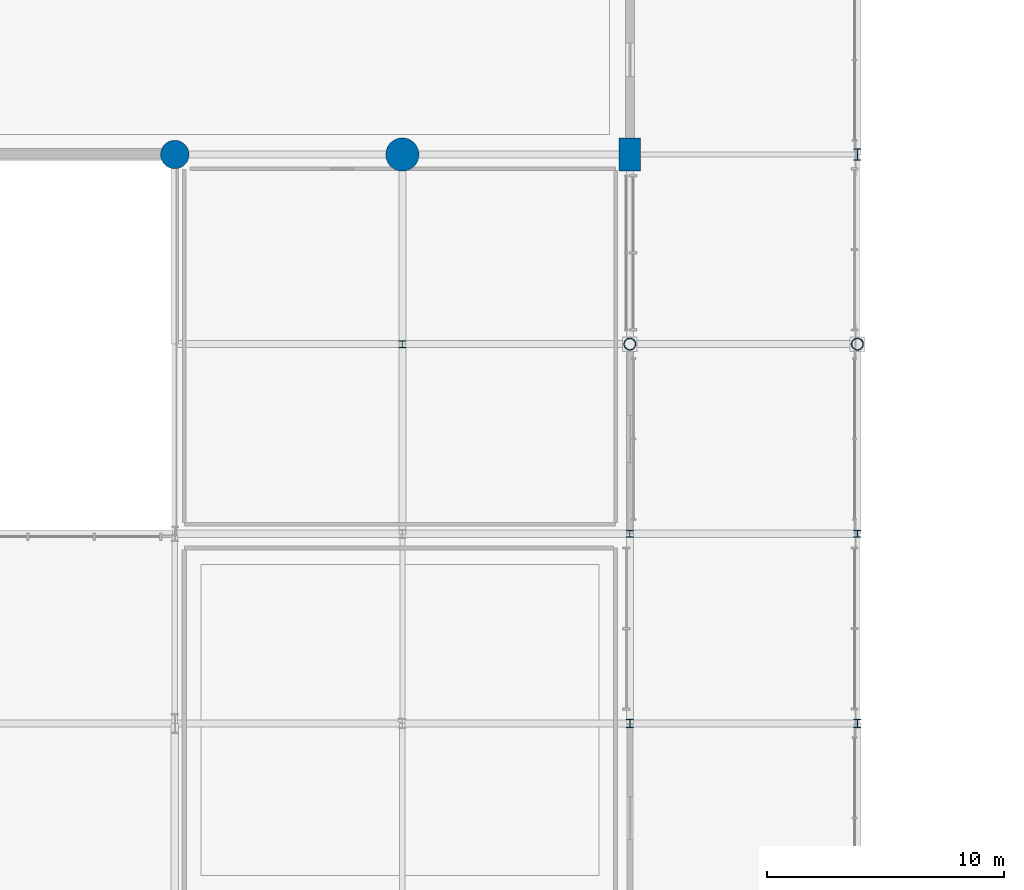
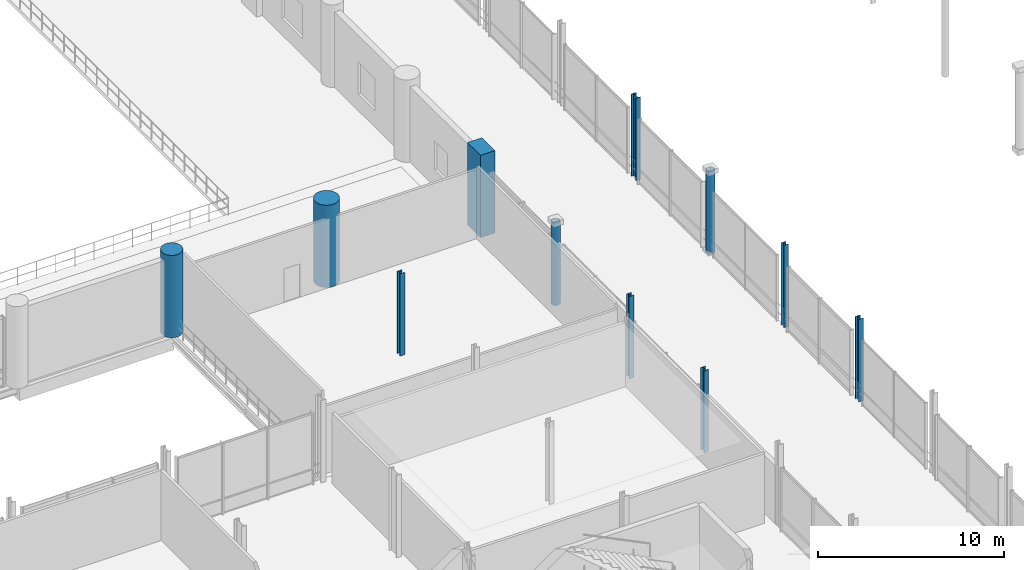
# One storey, part 8 of 129: 11 columns.
"""IFC4 building model written with IfcOpenShell, lengths in metres."""

from ifc_helpers import new_model, si_unit, direction, frame, origin, origin_2d, place, context, subcontext, project, spatial, rectangle, circle, hollow_circle, i_section, extrude, material, material_profile, profile_set, type_object, element, save


model = new_model("IFC4")

# Units and contexts
model_context = context("Model", 3, precision=1e-05, world=origin(), true_north=direction((0.0, 1.0)))
body_context = subcontext(model_context, "Body", "Model", "MODEL_VIEW")
ifc_project = project(units=[si_unit("LENGTHUNIT", "METRE"), si_unit("AREAUNIT", "SQUARE_METRE"), si_unit("VOLUMEUNIT", "CUBIC_METRE"), si_unit("PLANEANGLEUNIT", "RADIAN"), si_unit("MASSUNIT", "GRAM", prefix="KILO")], contexts=[model_context])

# Site, building, storey
site_placement = place(None, origin())
site = spatial("IfcSite", under=ifc_project, at=site_placement, CompositionType="ELEMENT")
building_placement = place(site_placement, origin())
building = spatial("IfcBuilding", under=site, at=building_placement, Name="Danafjord Basin Convention Centre", CompositionType="ELEMENT")
storey_placement = place(building_placement, frame((0.0, 0.0, 6.0)))
storey = spatial("IfcBuildingStorey", under=building, at=storey_placement, Name="L01", CompositionType="ELEMENT", Elevation=6.0)

# Columns
ifc_material_1 = material(Name="Steel S355", Category="steel")
ifc_material_profile_1 = material_profile(ifc_material_1, hollow_circle(Radius=0.25390625, WallThickness=0.02490234375, at=origin_2d()), Name="CHS 508.0x25.0")
ifc_profile_set_1 = profile_set([ifc_material_profile_1], Name="Steel S355")
column_type_1 = type_object("IfcColumnType", Name="COL-C-CHS508", PredefinedType="COLUMN", material=ifc_profile_set_1)
for number, where, z_axis, x_axis, name in (
    (1, (115.199951171875, 48.0, 0.0), (0.0, 0.0, 1.0), (1.0, 0.0, 0.0), "L01 column C-CHS508 at (115.2, 48.0)"),
    (2, (124.800048828125, 48.0, 0.0), (0.0, 0.0, 1.0), (1.0, 0.0, 0.0), "L01 column C-CHS508 at (124.8, 48.0)"),
):
    element("IfcColumn", number, at=place(storey_placement, frame(where, z_axis=z_axis, x_axis=x_axis)), inside=storey, type_object=column_type_1, Name=name, PredefinedType="COLUMN", context=body_context, shape_type="SweptSolid", body=[
        extrude(hollow_circle(Radius=0.25390625, WallThickness=0.02490234375, at=origin_2d()), origin(), (0.0, 0.0, 1.0), 5.39990234375),
    ])
ifc_material_profile_2 = material_profile(ifc_material_1, i_section(OverallWidth=0.300048828125, OverallDepth=0.300048828125, WebThickness=0.010986328125, FlangeThickness=0.01904296875, FilletRadius=0.027099609375, at=origin_2d()), Name="HEB 300")
ifc_profile_set_2 = profile_set([ifc_material_profile_2], Name="Steel S355")
column_type_2 = type_object("IfcColumnType", Name="COL-C-HEB300", PredefinedType="COLUMN", material=ifc_profile_set_2)
for number, where, z_axis, x_axis, name in (
    (3, (105.60009765625, 48.0, 0.0), (0.0, 0.0, 1.0), (1.0, 0.0, 0.0), "L01 column C-HEB300 at (105.6, 48.0)"),
    (4, (115.199951171875, 40.0, 0.0), (0.0, 0.0, 1.0), (1.0, 0.0, 0.0), "L01 column C-HEB300 at (115.2, 40.0)"),
    (5, (124.800048828125, 40.0, 0.0), (0.0, 0.0, 1.0), (1.0, 0.0, 0.0), "L01 column C-HEB300 at (124.8, 40.0)"),
):
    element("IfcColumn", number, at=place(storey_placement, frame(where, z_axis=z_axis, x_axis=x_axis)), inside=storey, type_object=column_type_2, Name=name, PredefinedType="COLUMN", context=body_context, shape_type="SweptSolid", body=[
        extrude(i_section(OverallWidth=0.300048828125, OverallDepth=0.300048828125, WebThickness=0.010986328125, FlangeThickness=0.01904296875, FilletRadius=0.027099609375, at=origin_2d()), origin(), (0.0, 0.0, 1.0), 5.39990234375),
    ])
ifc_material_profile_3 = material_profile(ifc_material_1, i_section(OverallWidth=0.300048828125, OverallDepth=0.360107421875, WebThickness=0.012451171875, FlangeThickness=0.0224609375, FilletRadius=0.027099609375, at=origin_2d()), Name="HEB 360")
ifc_profile_set_3 = profile_set([ifc_material_profile_3], Name="Steel S355")
column_type_3 = type_object("IfcColumnType", Name="COL-C-HEB360", PredefinedType="COLUMN", material=ifc_profile_set_3)
for number, where, z_axis, x_axis, name in (
    (6, (115.199951171875, 32.0, 0.0), (0.0, 0.0, 1.0), (1.0, 0.0, 0.0), "L01 column C-HEB360 at (115.2, 32.0)"),
    (7, (124.800048828125, 32.0, 0.0), (0.0, 0.0, 1.0), (1.0, 0.0, 0.0), "L01 column C-HEB360 at (124.8, 32.0)"),
):
    element("IfcColumn", number, at=place(storey_placement, frame(where, z_axis=z_axis, x_axis=x_axis)), inside=storey, type_object=column_type_3, Name=name, PredefinedType="COLUMN", context=body_context, shape_type="SweptSolid", body=[
        extrude(i_section(OverallWidth=0.300048828125, OverallDepth=0.360107421875, WebThickness=0.012451171875, FlangeThickness=0.0224609375, FilletRadius=0.027099609375, at=origin_2d()), origin(), (0.0, 0.0, 1.0), 5.39990234375),
    ])
ifc_material_profile_4 = material_profile(ifc_material_1, i_section(OverallWidth=0.300048828125, OverallDepth=0.5, WebThickness=0.014404296875, FlangeThickness=0.028076171875, FilletRadius=0.027099609375, at=origin_2d()), Name="HEB 500")
ifc_profile_set_4 = profile_set([ifc_material_profile_4], Name="Steel S355")
column_type_4 = type_object("IfcColumnType", Name="COL-C-HEB500", PredefinedType="COLUMN", material=ifc_profile_set_4)
column_1_placement = place(storey_placement, frame((124.800048828125, 56.0, 0.0), z_axis=(0.0, 0.0, 1.0), x_axis=(1.0, 0.0, 0.0)))
element("IfcColumn", 8, at=column_1_placement, inside=storey, type_object=column_type_4, Name="L01 column C-HEB500 at (124.8, 56.0)", PredefinedType="COLUMN", context=body_context, shape_type="SweptSolid", body=[
    extrude(i_section(OverallWidth=0.300048828125, OverallDepth=0.5, WebThickness=0.014404296875, FlangeThickness=0.028076171875, FilletRadius=0.027099609375, at=origin_2d()), origin(), (0.0, 0.0, 1.0), 5.39990234375),
])
ifc_material_2 = material(Name="Concrete C50/60", Category="concrete")
ifc_material_profile_5 = material_profile(ifc_material_2, rectangle(XDim=0.89990234375, YDim=1.39990234375, at=origin_2d()), Name="RC 1400x900")
ifc_profile_set_5 = profile_set([ifc_material_profile_5], Name="Concrete C50/60")
column_type_5 = type_object("IfcColumnType", Name="COL-C-RC1400", PredefinedType="COLUMN", material=ifc_profile_set_5)
column_2_placement = place(storey_placement, frame((115.199951171875, 56.0, 0.0), z_axis=(0.0, 0.0, 1.0), x_axis=(1.0, 0.0, 0.0)))
element("IfcColumn", 9, at=column_2_placement, inside=storey, type_object=column_type_5, Name="L01 column C-RC1400 at (115.2, 56.0)", PredefinedType="COLUMN", context=body_context, shape_type="SweptSolid", body=[
    extrude(rectangle(XDim=0.89990234375, YDim=1.39990234375, at=origin_2d()), origin(), (0.0, 0.0, 1.0), 5.39990234375),
])
ifc_material_profile_6 = material_profile(ifc_material_2, circle(Radius=0.60009765625, at=origin_2d()), Name="RC D1200")
ifc_profile_set_6 = profile_set([ifc_material_profile_6], Name="Concrete C50/60")
column_type_6 = type_object("IfcColumnType", Name="COL-C-RCD1200", PredefinedType="COLUMN", material=ifc_profile_set_6)
column_3_placement = place(storey_placement, frame((96.0, 56.0, 0.0), z_axis=(0.0, 0.0, 1.0), x_axis=(1.0, 0.0, 0.0)))
element("IfcColumn", 10, at=column_3_placement, inside=storey, type_object=column_type_6, Name="L01 column C-RCD1200 at (96.0, 56.0)", PredefinedType="COLUMN", context=body_context, shape_type="SweptSolid", body=[
    extrude(circle(Radius=0.60009765625, at=origin_2d()), origin(), (0.0, 0.0, 1.0), 5.39990234375),
])
ifc_material_profile_7 = material_profile(ifc_material_2, circle(Radius=0.699951171875, at=origin_2d()), Name="RC D1400")
ifc_profile_set_7 = profile_set([ifc_material_profile_7], Name="Concrete C50/60")
column_type_7 = type_object("IfcColumnType", Name="COL-C-RCD1400", PredefinedType="COLUMN", material=ifc_profile_set_7)
column_4_placement = place(storey_placement, frame((105.60009765625, 56.0, 0.0), z_axis=(0.0, 0.0, 1.0), x_axis=(1.0, 0.0, 0.0)))
element("IfcColumn", 11, at=column_4_placement, inside=storey, type_object=column_type_7, Name="L01 column C-RCD1400 at (105.6, 56.0)", PredefinedType="COLUMN", context=body_context, shape_type="SweptSolid", body=[
    extrude(circle(Radius=0.699951171875, at=origin_2d()), origin(), (0.0, 0.0, 1.0), 5.39990234375),
])

save(model, "model.ifc")
